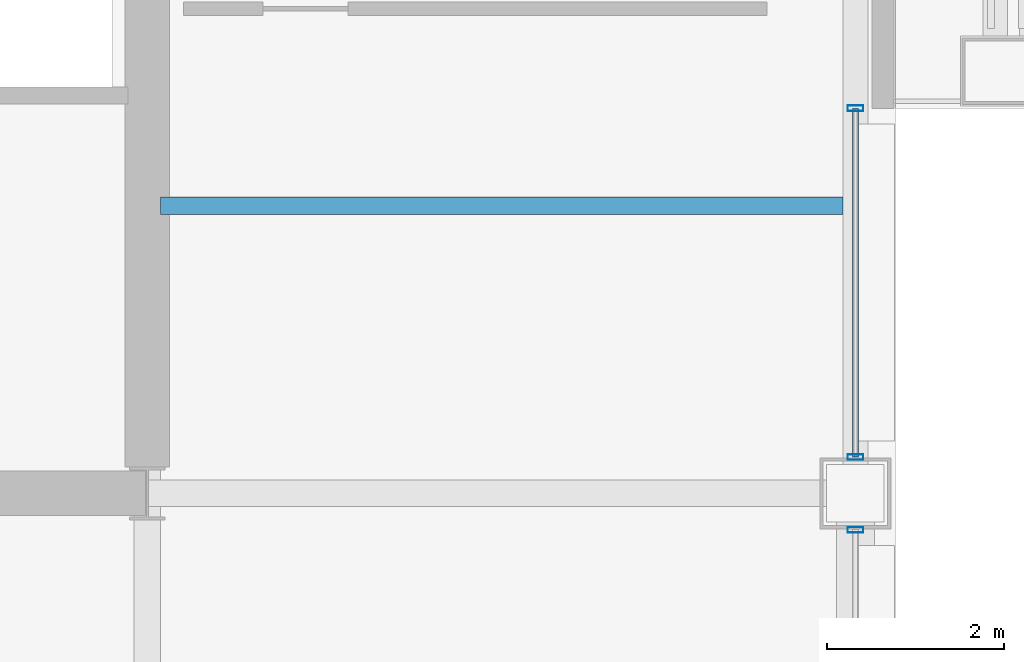
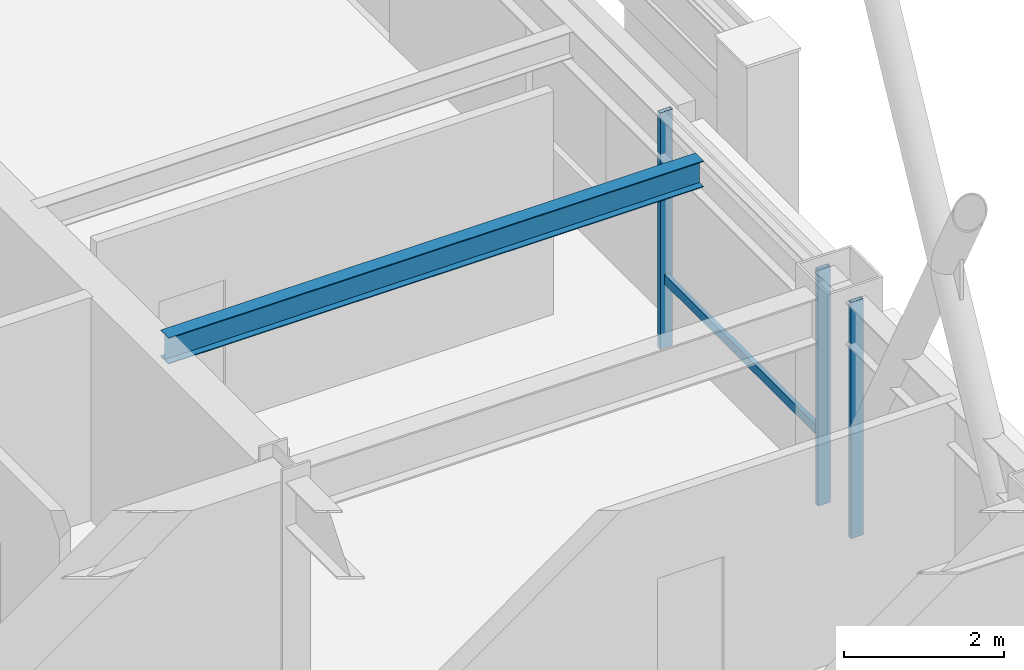
# One storey, part 15 of 33: 4 members, 1 beam, 2 elements without a shape of their own.
"""IFC4 building model written with IfcOpenShell, lengths in metres."""

from ifc_helpers import new_model, si_unit, direction, frame, origin, origin_2d, place, context, subcontext, project, spatial, hollow_rectangle, i_section, extrude, material, layer, layer_set, material_profile, profile_set, type_object, element, aggregate, save


model = new_model("IFC4")

# Units and contexts
model_context = context("Model", 3, precision=1e-05, world=origin(), true_north=direction((0.0, 1.0)))
body_context = subcontext(model_context, "Body", "Model", "MODEL_VIEW")
ifc_project = project(units=[si_unit("LENGTHUNIT", "METRE"), si_unit("AREAUNIT", "SQUARE_METRE"), si_unit("VOLUMEUNIT", "CUBIC_METRE"), si_unit("PLANEANGLEUNIT", "RADIAN"), si_unit("MASSUNIT", "GRAM", prefix="KILO")], contexts=[model_context])

# Site, building, storey
site_placement = place(None, origin())
site = spatial("IfcSite", under=ifc_project, at=site_placement, CompositionType="ELEMENT")
building_placement = place(site_placement, origin())
building = spatial("IfcBuilding", under=site, at=building_placement, Name="Brelmoor Portico Tower", CompositionType="ELEMENT")
storey_placement = place(building_placement, frame((0.0, 0.0, 120.60009765625)))
storey = spatial("IfcBuildingStorey", under=building, at=storey_placement, Name="L31", CompositionType="ELEMENT", Elevation=120.60009765625)

# Beam
ifc_material_1 = material(Name="Steel Q355B", Category="steel")
ifc_material_profile_1 = material_profile(ifc_material_1, i_section(OverallWidth=0.199951171875, OverallDepth=0.39990234375, WebThickness=0.008056640625, FlangeThickness=0.012939453125, at=origin_2d()), Name="HN 400x200x8x13")
ifc_profile_set_1 = profile_set([ifc_material_profile_1], Name="Steel Q355B")
beam_type = type_object("IfcBeamType", Name="BM-JS-400", PredefinedType="JOIST", material=ifc_profile_set_1)
beam_placement = place(storey_placement, frame((14.699951171875, -6.5, 3.199951171875), z_axis=(1.0, 0.0, 0.0), x_axis=(0.0, 1.0, 0.0)))
element("IfcBeam", 1, at=beam_placement, inside=storey, type_object=beam_type, Name="L31 Secondary Wing Joist JS-E09", PredefinedType="JOIST", context=body_context, shape_type="SweptSolid", body=[
    extrude(i_section(OverallWidth=0.199951171875, OverallDepth=0.39990234375, WebThickness=0.008056640625, FlangeThickness=0.012939453125, at=origin_2d()), origin(), (0.0, 0.0, 1.0), 7.7099609375),
])

# Curtain wall, member
ifc_material_2 = material(Name="Anodised Aluminium Alloy 6063-T6", Category="aluminium")
ifc_layer_1 = layer(ifc_material_2, 0.179931640625)
ifc_layer_set_1 = layer_set([ifc_layer_1], Name="Anodised Aluminium Alloy 6063-T6")
curtain_wall_type_1 = type_object("IfcCurtainWallType", Name="CW-TOWER-Z2-XB", PredefinedType="NOTDEFINED", material=ifc_layer_set_1)
curtain_wall_1_placement = place(storey_placement, origin())
curtain_wall_1 = element("IfcCurtainWall", 2, at=curtain_wall_1_placement, inside=storey, type_object=curtain_wall_type_1, Name="L31 Curtain Wall CW-L31-4L-1", PredefinedType="NOTDEFINED")
ifc_material_profile_2 = material_profile(ifc_material_2, hollow_rectangle(XDim=0.06494140625, YDim=0.179931640625, WallThickness=0.00390625, at=origin_2d()), Name="ALU MULLION 65x180")
ifc_profile_set_2 = profile_set([ifc_material_profile_2], Name="Anodised Aluminium Alloy 6063-T6")
member_type_1 = type_object("IfcMemberType", Name="MB-CW-MULL-180", PredefinedType="MULLION", material=ifc_profile_set_2)
member_1_placement = place(storey_placement, frame((22.550048828125, -10.159912109375, -0.2001953125), z_axis=(0.0, 0.0, 1.0), x_axis=(0.0, 1.0, 0.0)))
member_1 = element("IfcMember", 3, at=member_1_placement, type_object=member_type_1, Name="CW-L31-4L-1 Mullion 01", PredefinedType="MULLION", context=body_context, shape_type="SweptSolid", body=[
    extrude(hollow_rectangle(XDim=0.06494140625, YDim=0.179931640625, WallThickness=0.00390625, at=origin_2d()), origin(), (0.0, 0.0, 1.0), 3.60009765625),
])
aggregate(curtain_wall_1, [member_1])

# Curtain wall, members
ifc_layer_2 = layer(ifc_material_2, 0.179931640625)
ifc_layer_set_2 = layer_set([ifc_layer_2], Name="Anodised Aluminium Alloy 6063-T6")
curtain_wall_type_2 = type_object("IfcCurtainWallType", Name="CW-TOWER-Z2", PredefinedType="NOTDEFINED", material=ifc_layer_set_2)
curtain_wall_2_placement = place(storey_placement, origin())
curtain_wall_2 = element("IfcCurtainWall", 4, at=curtain_wall_2_placement, inside=storey, type_object=curtain_wall_type_2, Name="L31 Curtain Wall CW-L31-4L-2", PredefinedType="NOTDEFINED")
member_2_placement = place(storey_placement, frame((22.550048828125, -9.340087890625, -0.2001953125), z_axis=(0.0, 0.0, 1.0), x_axis=(0.0, 1.0, 0.0)))
member_2 = element("IfcMember", 5, at=member_2_placement, type_object=member_type_1, Name="CW-L31-4L-2 Mullion 00", PredefinedType="MULLION", context=body_context, shape_type="SweptSolid", body=[
    extrude(hollow_rectangle(XDim=0.06494140625, YDim=0.179931640625, WallThickness=0.00390625, at=origin_2d()), origin(), (0.0, 0.0, 1.0), 3.60009765625),
])
member_3_placement = place(storey_placement, frame((22.550048828125, -5.39990234375, -0.2001953125), z_axis=(0.0, 0.0, 1.0), x_axis=(0.0, 1.0, 0.0)))
member_3 = element("IfcMember", 6, at=member_3_placement, type_object=member_type_1, Name="CW-L31-4L-2 Mullion 01", PredefinedType="MULLION", context=body_context, shape_type="SweptSolid", body=[
    extrude(hollow_rectangle(XDim=0.06494140625, YDim=0.179931640625, WallThickness=0.00390625, at=origin_2d()), origin(), (0.0, 0.0, 1.0), 3.60009765625),
])
ifc_material_profile_3 = material_profile(ifc_material_2, hollow_rectangle(XDim=0.06494140625, YDim=0.139892578125, WallThickness=0.00390625, at=origin_2d()), Name="ALU TRANSOM 65x140")
ifc_profile_set_3 = profile_set([ifc_material_profile_3], Name="Anodised Aluminium Alloy 6063-T6")
member_type_2 = type_object("IfcMemberType", Name="MB-CW-TRAN-140", PredefinedType="USERDEFINED", material=ifc_profile_set_3)
member_4_placement = place(storey_placement, frame((22.550048828125, -9.340087890625, 0.849853515625), z_axis=(0.0, 1.0, 0.0), x_axis=(-1.0, 0.0, 0.0)))
member_4 = element("IfcMember", 7, at=member_4_placement, type_object=member_type_2, Name="CW-L31-4L-2 Transom 1-00", ObjectType="TRANSOM", PredefinedType="USERDEFINED", context=body_context, shape_type="SweptSolid", body=[
    extrude(hollow_rectangle(XDim=0.06494140625, YDim=0.139892578125, WallThickness=0.00390625, at=origin_2d()), origin(), (0.0, 0.0, 1.0), 3.940185546875),
])
aggregate(curtain_wall_2, [member_2, member_3, member_4])

save(model, "model.ifc")
